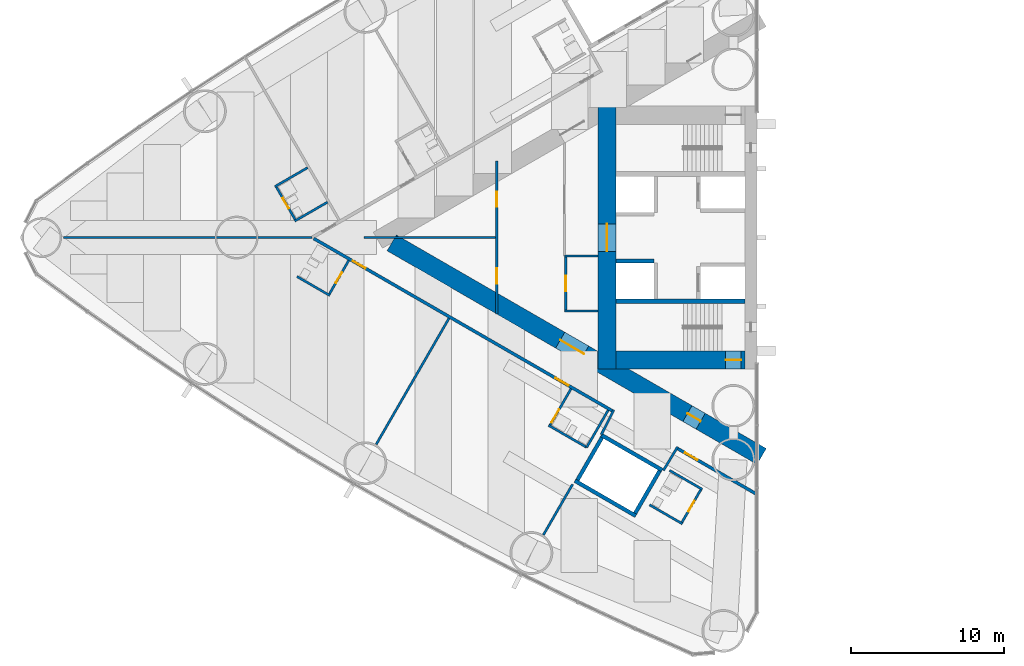
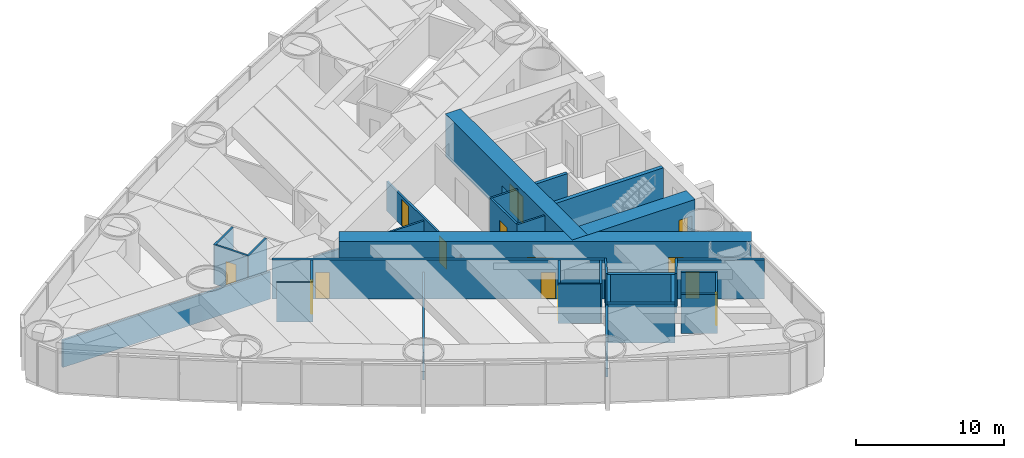
# One storey, part 11 of 19: 32 walls, 14 doors, 14 openings.
"""IFC4 building model written with IfcOpenShell, lengths in metres."""

from ifc_helpers import new_model, si_unit, direction, frame, frame_2d, origin, place, context, subcontext, project, spatial, rectangle, extrude, material, layer, layer_set, type_object, element, fill, save


model = new_model("IFC4")

# Units and contexts
model_context = context("Model", 3, precision=1e-05, world=origin(), true_north=direction((0.0, 1.0)))
body_context = subcontext(model_context, "Body", "Model", "MODEL_VIEW")
ifc_project = project(units=[si_unit("LENGTHUNIT", "METRE"), si_unit("AREAUNIT", "SQUARE_METRE"), si_unit("VOLUMEUNIT", "CUBIC_METRE"), si_unit("PLANEANGLEUNIT", "RADIAN"), si_unit("MASSUNIT", "GRAM", prefix="KILO")], contexts=[model_context])

# Site, building, storey
site_placement = place(None, origin())
site = spatial("IfcSite", under=ifc_project, at=site_placement, CompositionType="ELEMENT")
building_placement = place(site_placement, origin())
building = spatial("IfcBuilding", under=site, at=building_placement, Name="Lancet Gate Hotel", CompositionType="ELEMENT")
storey_placement = place(building_placement, frame((0.0, 0.0, 63.5)))
storey = spatial("IfcBuildingStorey", under=building, at=storey_placement, Name="L16", CompositionType="ELEMENT", Elevation=63.5)

# Wall
ifc_material_1 = material(Name="Moisture resistant board partition")
ifc_layer_1 = layer(ifc_material_1, 0.14990234375)
ifc_layer_set_1 = layer_set([ifc_layer_1], Name="Bathroom wall 150")
wall_type_1 = type_object("IfcWallType", Name="Bathroom wall 150", PredefinedType="PARTITIONING", material=ifc_layer_set_1)
wall_1_placement = place(storey_placement, frame((-56.861083984375, 4.565185546875, 0.0), z_axis=(0.0, 0.0, 1.0), x_axis=(-0.86604923931, -0.499958713387, 0.0)))
element("IfcWall", 1, at=wall_1_placement, inside=storey, type_object=wall_type_1, Name="T1 bathroom wall 150 L16", PredefinedType="PARTITIONING", context=body_context, shape_type="SweptSolid", body=[
    extrude(rectangle(XDim=2.474853515625, YDim=0.14990234375, at=frame_2d((1.2373046875, 0.0))), origin(), (0.0, 0.0, 1.0), 3.25),
])

# Wall, opening, door
wall_2_placement = place(storey_placement, frame((-57.639404296875, 1.113525390625, 0.0), z_axis=(0.0, 0.0, 1.0), x_axis=(-0.500006934395, 0.866021400173, 0.0)))
wall_2 = element("IfcWall", 2, at=wall_2_placement, inside=storey, type_object=wall_type_1, Name="T1 bathroom wall 150 L16", PredefinedType="PARTITIONING", context=body_context, shape_type="SweptSolid", body=[
    extrude(rectangle(XDim=2.60009765625, YDim=0.14990234375, at=frame_2d((1.300048828125, 0.0))), origin(), (0.0, 0.0, 1.0), 3.25),
])
opening_1_placement = place(wall_2_placement, frame((0.89990234375, 0.0, 0.0)))
opening_1 = element("IfcOpeningElement", 3, at=opening_1_placement, cuts=wall_2, Name="Opening 1604-B", PredefinedType="OPENING", context=body_context, shape_type="SweptSolid", body=[
    extrude(rectangle(XDim=0.800048828125, YDim=2.199951171875, at=frame_2d((0.39990234375, 1.10009765625))), frame((0.0, 0.0849609375, 0.0), z_axis=(0.0, -1.0, 0.0), x_axis=(1.0, 0.0, 0.0)), (0.0, 0.0, 1.0), 0.169921875),
])
ifc_material_2 = material(Name="Timber door set", Category="wood")
door_type_1 = type_object("IfcDoorType", Name="Bathroom door 800", OperationType="SINGLE_SWING_RIGHT", PredefinedType="DOOR", material=ifc_material_2)
door_1_placement = place(opening_1_placement, origin())
door_1 = element("IfcDoor", 4, at=door_1_placement, inside=storey, type_object=door_type_1, Name="1604-B", OperationType="SINGLE_SWING_RIGHT", OverallHeight=2.199951171875, OverallWidth=0.800048828125, PredefinedType="DOOR", context=body_context, shape_type="SweptSolid", body=[
    extrude(rectangle(XDim=0.800048828125, YDim=2.199951171875, at=frame_2d((0.39990234375, 1.10009765625))), frame((0.0, 0.02490234375, 0.0), z_axis=(0.0, -1.0, 0.0), x_axis=(1.0, 0.0, 0.0)), (0.0, 0.0, 1.0), 0.050048828125),
])
fill(opening_1, door_1)

# Walls
for number, where, z_axis, x_axis, name in (
    (5, (-55.56103515625, 2.3134765625, 0.0), (0.0, 0.0, 1.0), (-0.86604923931, -0.499958713387, 0.0), "T1 bathroom wall 150 L16"),
    (6, (-55.4111328125, -3.785888671875, 0.0), (0.0, 0.0, 1.0), (-0.866006523861, 0.500032699561, 0.0), "T1 bathroom wall 150 L16"),
):
    element("IfcWall", number, at=place(storey_placement, frame(where, z_axis=z_axis, x_axis=x_axis)), inside=storey, type_object=wall_type_1, Name=name, PredefinedType="PARTITIONING", context=body_context, shape_type="SweptSolid", body=[
        extrude(rectangle(XDim=2.474853515625, YDim=0.14990234375, at=frame_2d((1.2373046875, 0.0))), origin(), (0.0, 0.0, 1.0), 3.25),
    ])

# Wall, opening, door
wall_3_placement = place(storey_placement, frame((-54.176025390625, -1.49658203125, 0.0), z_axis=(0.0, 0.0, 1.0), x_axis=(-0.500006934395, -0.866021400173, 0.0)))
wall_3 = element("IfcWall", 7, at=wall_3_placement, inside=storey, type_object=wall_type_1, Name="T1 bathroom wall 150 L16", PredefinedType="PARTITIONING", context=body_context, shape_type="SweptSolid", body=[
    extrude(rectangle(XDim=2.60009765625, YDim=0.14990234375, at=frame_2d((1.300048828125, 0.0))), origin(), (0.0, 0.0, 1.0), 3.25),
])
opening_2_placement = place(wall_3_placement, frame((0.89990234375, 0.0, 0.0)))
opening_2 = element("IfcOpeningElement", 8, at=opening_2_placement, cuts=wall_3, Name="Opening 1605-B", PredefinedType="OPENING", context=body_context, shape_type="SweptSolid", body=[
    extrude(rectangle(XDim=0.800048828125, YDim=2.199951171875, at=frame_2d((0.39990234375, 1.10009765625))), frame((0.0, 0.0849609375, 0.0), z_axis=(0.0, -1.0, 0.0), x_axis=(1.0, 0.0, 0.0)), (0.0, 0.0, 1.0), 0.169921875),
])
door_2_placement = place(opening_2_placement, origin())
door_2 = element("IfcDoor", 9, at=door_2_placement, inside=storey, type_object=door_type_1, Name="1605-B", OperationType="SINGLE_SWING_RIGHT", OverallHeight=2.199951171875, OverallWidth=0.800048828125, PredefinedType="DOOR", context=body_context, shape_type="SweptSolid", body=[
    extrude(rectangle(XDim=0.800048828125, YDim=2.199951171875, at=frame_2d((0.39990234375, 1.10009765625))), frame((0.0, 0.02490234375, 0.0), z_axis=(0.0, -1.0, 0.0), x_axis=(1.0, 0.0, 0.0)), (0.0, 0.0, 1.0), 0.050048828125),
])
fill(opening_2, door_2)

# Wall
wall_4_placement = place(storey_placement, frame((-38.630126953125, -13.705322265625, 0.0), z_axis=(0.0, 0.0, 1.0), x_axis=(-0.866018712932, 0.500011588718, 0.0)))
element("IfcWall", 10, at=wall_4_placement, inside=storey, type_object=wall_type_1, Name="T1 bathroom wall 150 L16", PredefinedType="PARTITIONING", context=body_context, shape_type="SweptSolid", body=[
    extrude(rectangle(XDim=2.875, YDim=0.14990234375, at=frame_2d((1.4375, 0.0))), origin(), (0.0, 0.0, 1.0), 3.25),
])

# Wall, opening, door
wall_5_placement = place(storey_placement, frame((-39.65478515625, -9.88037109375, 0.0), z_axis=(0.0, 0.0, 1.0), x_axis=(-0.500049511043, -0.865996816683, 0.0)))
wall_5 = element("IfcWall", 11, at=wall_5_placement, inside=storey, type_object=wall_type_1, Name="T1 bathroom wall 150 L16", PredefinedType="PARTITIONING", context=body_context, shape_type="SweptSolid", body=[
    extrude(rectangle(XDim=2.800048828125, YDim=0.14990234375, at=frame_2d((1.39990234375, 0.0))), origin(), (0.0, 0.0, 1.0), 3.25),
])
opening_3_placement = place(wall_5_placement, frame((1.550048828125, 0.0, 0.0)))
opening_3 = element("IfcOpeningElement", 12, at=opening_3_placement, cuts=wall_5, Name="Opening 1607-B", PredefinedType="OPENING", context=body_context, shape_type="SweptSolid", body=[
    extrude(rectangle(XDim=1.0, YDim=2.199951171875, at=frame_2d((0.5, 1.10009765625))), frame((0.0, 0.0849609375, 0.0), z_axis=(0.0, -1.0, 0.0), x_axis=(1.0, 0.0, 0.0)), (0.0, 0.0, 1.0), 0.169921875),
])
ifc_material_3 = material(Name="Timber door set", Category="wood")
door_type_2 = type_object("IfcDoorType", Name="Accessible en-suite door 1000", OperationType="SINGLE_SWING_RIGHT", PredefinedType="DOOR", material=ifc_material_3)
door_3_placement = place(opening_3_placement, origin())
door_3 = element("IfcDoor", 13, at=door_3_placement, inside=storey, type_object=door_type_2, Name="1607-B", OperationType="SINGLE_SWING_RIGHT", OverallHeight=2.199951171875, OverallWidth=1.0, PredefinedType="DOOR", context=body_context, shape_type="SweptSolid", body=[
    extrude(rectangle(XDim=1.0, YDim=2.199951171875, at=frame_2d((0.5, 1.10009765625))), frame((0.0, 0.02490234375, 0.0), z_axis=(0.0, -1.0, 0.0), x_axis=(1.0, 0.0, 0.0)), (0.0, 0.0, 1.0), 0.050048828125),
])
fill(opening_3, door_3)

# Walls
wall_6_placement = place(storey_placement, frame((-37.22998046875, -11.280517578125, 0.0), z_axis=(0.0, 0.0, 1.0), x_axis=(-0.500049511043, -0.865996816683, 0.0)))
element("IfcWall", 14, at=wall_6_placement, inside=storey, type_object=wall_type_1, Name="T1 bathroom wall 150 L16", PredefinedType="PARTITIONING", context=body_context, shape_type="SweptSolid", body=[
    extrude(rectangle(XDim=2.800048828125, YDim=0.14990234375, at=frame_2d((1.39990234375, 0.0))), origin(), (0.0, 0.0, 1.0), 3.25),
])
wall_7_placement = place(storey_placement, frame((-32.3759765625, -18.70166015625, 0.0), z_axis=(0.0, 0.0, 1.0), x_axis=(-0.866006523861, 0.500032699561, 0.0)))
element("IfcWall", 15, at=wall_7_placement, inside=storey, type_object=wall_type_1, Name="T1 bathroom wall 150 L16", PredefinedType="PARTITIONING", context=body_context, shape_type="SweptSolid", body=[
    extrude(rectangle(XDim=2.474853515625, YDim=0.14990234375, at=frame_2d((1.2373046875, 0.0))), origin(), (0.0, 0.0, 1.0), 3.25),
])

# Wall, opening, door
wall_8_placement = place(storey_placement, frame((-31.140869140625, -16.41259765625, 0.0), z_axis=(0.0, 0.0, 1.0), x_axis=(-0.500006934395, -0.866021400173, 0.0)))
wall_8 = element("IfcWall", 16, at=wall_8_placement, inside=storey, type_object=wall_type_1, Name="T1 bathroom wall 150 L16", PredefinedType="PARTITIONING", context=body_context, shape_type="SweptSolid", body=[
    extrude(rectangle(XDim=2.60009765625, YDim=0.14990234375, at=frame_2d((1.300048828125, 0.0))), origin(), (0.0, 0.0, 1.0), 3.25),
])
opening_4_placement = place(wall_8_placement, frame((0.89990234375, 0.0, 0.0)))
opening_4 = element("IfcOpeningElement", 17, at=opening_4_placement, cuts=wall_8, Name="Opening 1608-B", PredefinedType="OPENING", context=body_context, shape_type="SweptSolid", body=[
    extrude(rectangle(XDim=0.800048828125, YDim=2.199951171875, at=frame_2d((0.39990234375, 1.10009765625))), frame((0.0, 0.0849609375, 0.0), z_axis=(0.0, -1.0, 0.0), x_axis=(1.0, 0.0, 0.0)), (0.0, 0.0, 1.0), 0.169921875),
])
door_4_placement = place(opening_4_placement, origin())
door_4 = element("IfcDoor", 18, at=door_4_placement, inside=storey, type_object=door_type_1, Name="1608-B", OperationType="SINGLE_SWING_RIGHT", OverallHeight=2.199951171875, OverallWidth=0.800048828125, PredefinedType="DOOR", context=body_context, shape_type="SweptSolid", body=[
    extrude(rectangle(XDim=0.800048828125, YDim=2.199951171875, at=frame_2d((0.39990234375, 1.10009765625))), frame((0.0, 0.02490234375, 0.0), z_axis=(0.0, -1.0, 0.0), x_axis=(1.0, 0.0, 0.0)), (0.0, 0.0, 1.0), 0.050048828125),
])
fill(opening_4, door_4)

# Wall
wall_9_placement = place(storey_placement, frame((-31.075927734375, -16.449951171875, 0.0), z_axis=(0.0, 0.0, 1.0), x_axis=(-0.866073894602, 0.499916002032, 0.0)))
element("IfcWall", 19, at=wall_9_placement, inside=storey, type_object=wall_type_1, Name="T1 bathroom wall 150 L16", PredefinedType="PARTITIONING", context=body_context, shape_type="SweptSolid", body=[
    extrude(rectangle(XDim=2.47509765625, YDim=0.14990234375, at=frame_2d((1.237548828125, 0.0))), origin(), (0.0, 0.0, 1.0), 3.25),
])

# Wall, openings, doors
ifc_material_4 = material(Name="Concrete C70/85", Category="concrete")
ifc_layer_2 = layer(ifc_material_4, 1.199951171875)
ifc_layer_set_2 = layer_set([ifc_layer_2], Name="Buttress wall 1200")
wall_type_2 = type_object("IfcWallType", Name="Buttress wall 1200", PredefinedType="SHEAR", material=ifc_layer_set_2)
wall_10_placement = place(storey_placement, frame((-27.199951171875, -14.300048828125, 0.0), z_axis=(0.0, 0.0, 1.0), x_axis=(-0.866024021859, 0.500002393557, 0.0)))
wall_10 = element("IfcWall", 20, at=wall_10_placement, inside=storey, type_object=wall_type_2, Name="T1 buttress wall N L16", PredefinedType="SHEAR", context=body_context, shape_type="SweptSolid", body=[
    extrude(rectangle(XDim=27.906982421875, YDim=1.199951171875, at=frame_2d((13.95361328125, 0.0))), origin(), (0.0, 0.0, 1.0), 3.5),
])
opening_5_placement = place(wall_10_placement, frame((4.60009765625, 0.0, 0.0)))
opening_5 = element("IfcOpeningElement", 21, at=opening_5_placement, cuts=wall_10, Name="Opening T1-L16-LN", PredefinedType="OPENING", context=body_context, shape_type="SweptSolid", body=[
    extrude(rectangle(XDim=1.0, YDim=2.199951171875, at=frame_2d((0.5, 1.10009765625))), frame((0.0, 0.60986328125, 0.0), z_axis=(0.0, -1.0, 0.0), x_axis=(1.0, 0.0, 0.0)), (0.0, 0.0, 1.0), 1.219970703125),
])
opening_6_placement = place(wall_10_placement, frame((13.39453125, 0.0, 0.0)))
opening_6 = element("IfcOpeningElement", 22, at=opening_6_placement, cuts=wall_10, Name="Opening T1-L16-LHN", PredefinedType="OPENING", context=body_context, shape_type="SweptSolid", body=[
    extrude(rectangle(XDim=1.800048828125, YDim=2.199951171875, at=frame_2d((0.89990234375, 1.10009765625))), frame((0.0, 0.60986328125, 0.0), z_axis=(0.0, -1.0, 0.0), x_axis=(1.0, 0.0, 0.0)), (0.0, 0.0, 1.0), 1.219970703125),
])
ifc_material_5 = material(Name="Timber door set", Category="wood")
door_type_3 = type_object("IfcDoorType", Name="Lobby double door 1800", OperationType="DOUBLE_DOOR_SINGLE_SWING", PredefinedType="DOOR", material=ifc_material_5)
door_5_placement = place(opening_6_placement, origin())
door_5 = element("IfcDoor", 23, at=door_5_placement, inside=storey, type_object=door_type_3, Name="T1-L16-LHN", OperationType="DOUBLE_DOOR_SINGLE_SWING", OverallHeight=2.199951171875, OverallWidth=1.800048828125, PredefinedType="DOOR", context=body_context, shape_type="SweptSolid", body=[
    extrude(rectangle(XDim=1.800048828125, YDim=2.199951171875, at=frame_2d((0.89990234375, 1.10009765625))), frame((0.0, 0.02490234375, 0.0), z_axis=(0.0, -1.0, 0.0), x_axis=(1.0, 0.0, 0.0)), (0.0, 0.0, 1.0), 0.050048828125),
])
fill(opening_6, door_5)
ifc_material_6 = material(Name="Timber door set", Category="wood")
door_type_4 = type_object("IfcDoorType", Name="Stair lobby door 1000", OperationType="SINGLE_SWING_LEFT", PredefinedType="DOOR", material=ifc_material_6)
door_6_placement = place(opening_5_placement, origin())
door_6 = element("IfcDoor", 24, at=door_6_placement, inside=storey, type_object=door_type_4, Name="T1-L16-LN", OperationType="SINGLE_SWING_LEFT", OverallHeight=2.199951171875, OverallWidth=1.0, PredefinedType="DOOR", context=body_context, shape_type="SweptSolid", body=[
    extrude(rectangle(XDim=1.0, YDim=2.199951171875, at=frame_2d((0.5, 1.10009765625))), frame((0.0, 0.02490234375, 0.0), z_axis=(0.0, -1.0, 0.0), x_axis=(1.0, 0.0, 0.0)), (0.0, 0.0, 1.0), 0.050048828125),
])
fill(opening_5, door_6)

# Wall, opening, door
ifc_material_7 = material(Name="Concrete C70/85", Category="concrete")
ifc_layer_3 = layer(ifc_material_7, 1.199951171875)
ifc_layer_set_3 = layer_set([ifc_layer_3], Name="Core wall 1200")
wall_type_3 = type_object("IfcWallType", Name="Core wall 1200", PredefinedType="SHEAR", material=ifc_layer_set_3)
wall_11_placement = place(storey_placement, frame((-37.300048828125, 8.60009765625, 0.0), z_axis=(0.0, 0.0, 1.0), x_axis=(0.0, -1.0, 0.0)))
wall_11 = element("IfcWall", 25, at=wall_11_placement, inside=storey, type_object=wall_type_3, Name="T1 core wall back L16", PredefinedType="SHEAR", context=body_context, shape_type="SweptSolid", body=[
    extrude(rectangle(XDim=17.2001953125, YDim=1.199951171875, at=frame_2d((8.60009765625, 0.0))), origin(), (0.0, 0.0, 1.0), 3.5),
])
opening_7_placement = place(wall_11_placement, frame((7.699951171875, 0.0, 0.0)))
opening_7 = element("IfcOpeningElement", 26, at=opening_7_placement, cuts=wall_11, Name="Opening T1-L16-LL", PredefinedType="OPENING", context=body_context, shape_type="SweptSolid", body=[
    extrude(rectangle(XDim=1.800048828125, YDim=2.199951171875, at=frame_2d((0.89990234375, 1.10009765625))), frame((0.0, 0.60986328125, 0.0), z_axis=(0.0, -1.0, 0.0), x_axis=(1.0, 0.0, 0.0)), (0.0, 0.0, 1.0), 1.219970703125),
])
door_7_placement = place(opening_7_placement, origin())
door_7 = element("IfcDoor", 27, at=door_7_placement, inside=storey, type_object=door_type_3, Name="T1-L16-LL", OperationType="DOUBLE_DOOR_SINGLE_SWING", OverallHeight=2.199951171875, OverallWidth=1.800048828125, PredefinedType="DOOR", context=body_context, shape_type="SweptSolid", body=[
    extrude(rectangle(XDim=1.800048828125, YDim=2.199951171875, at=frame_2d((0.89990234375, 1.10009765625))), frame((0.0, 0.02490234375, 0.0), z_axis=(0.0, -1.0, 0.0), x_axis=(1.0, 0.0, 0.0)), (0.0, 0.0, 1.0), 0.050048828125),
])
fill(opening_7, door_7)

wall_12_placement = place(storey_placement, frame((-28.300048828125, -8.0, 0.0), z_axis=(0.0, 0.0, 1.0), x_axis=(-1.0, 0.0, 0.0)))
wall_12 = element("IfcWall", 28, at=wall_12_placement, inside=storey, type_object=wall_type_3, Name="T1 core wall side-N L16", PredefinedType="SHEAR", context=body_context, shape_type="SweptSolid", body=[
    extrude(rectangle(XDim=8.39990234375, YDim=1.199951171875, at=frame_2d((4.199951171875, 0.0))), origin(), (0.0, 0.0, 1.0), 3.5),
])
opening_8_placement = place(wall_12_placement, frame((0.25, 0.0, 0.0)))
opening_8 = element("IfcOpeningElement", 29, at=opening_8_placement, cuts=wall_12, Name="Opening T1-L16-ST2", PredefinedType="OPENING", context=body_context, shape_type="SweptSolid", body=[
    extrude(rectangle(XDim=1.0, YDim=2.199951171875, at=frame_2d((0.5, 1.10009765625))), frame((0.0, 0.60986328125, 0.0), z_axis=(0.0, -1.0, 0.0), x_axis=(1.0, 0.0, 0.0)), (0.0, 0.0, 1.0), 1.219970703125),
])
ifc_material_8 = material(Name="Timber door set", Category="wood")
door_type_5 = type_object("IfcDoorType", Name="Stair door 1000", OperationType="SINGLE_SWING_RIGHT", PredefinedType="DOOR", material=ifc_material_8)
door_8_placement = place(opening_8_placement, origin())
door_8 = element("IfcDoor", 30, at=door_8_placement, inside=storey, type_object=door_type_5, Name="T1-L16-ST2", OperationType="SINGLE_SWING_RIGHT", OverallHeight=2.199951171875, OverallWidth=1.0, PredefinedType="DOOR", context=body_context, shape_type="SweptSolid", body=[
    extrude(rectangle(XDim=1.0, YDim=2.199951171875, at=frame_2d((0.5, 1.10009765625))), frame((0.0, 0.02490234375, 0.0), z_axis=(0.0, -1.0, 0.0), x_axis=(1.0, 0.0, 0.0)), (0.0, 0.0, 1.0), 0.050048828125),
])
fill(opening_8, door_8)

ifc_material_9 = material(Name="Gypsum board partition")
ifc_layer_4 = layer(ifc_material_9, 0.199951171875)
ifc_layer_set_4 = layer_set([ifc_layer_4], Name="Corridor wall 200")
wall_type_4 = type_object("IfcWallType", Name="Corridor wall 200", PredefinedType="PARTITIONING", material=ifc_layer_set_4)
wall_13_placement = place(storey_placement, frame((-27.572021484375, -16.740966796875, 0.0), z_axis=(0.0, 0.0, 1.0), x_axis=(-0.866024464444, 0.500001626982, 0.0)))
wall_13 = element("IfcWall", 31, at=wall_13_placement, inside=storey, type_object=wall_type_4, Name="T1 corridor wall 200 L16", PredefinedType="PARTITIONING", context=body_context, shape_type="SweptSolid", body=[
    extrude(rectangle(XDim=5.955078125, YDim=0.199951171875, at=frame_2d((2.9775390625, 0.0))), origin(), (0.0, 0.0, 1.0), 3.25),
])
opening_9_placement = place(wall_13_placement, frame((4.405029296875, 0.0, 0.0)))
opening_9 = element("IfcOpeningElement", 32, at=opening_9_placement, cuts=wall_13, Name="Opening 1608-E", PredefinedType="OPENING", context=body_context, shape_type="SweptSolid", body=[
    extrude(rectangle(XDim=0.949951171875, YDim=2.199951171875, at=frame_2d((0.47509765625, 1.10009765625))), frame((0.0, 0.10986328125, 0.0), z_axis=(0.0, -1.0, 0.0), x_axis=(1.0, 0.0, 0.0)), (0.0, 0.0, 1.0), 0.219970703125),
])
ifc_material_10 = material(Name="Timber door set", Category="wood")
door_type_6 = type_object("IfcDoorType", Name="Guest room entry door 950", OperationType="SINGLE_SWING_LEFT", PredefinedType="DOOR", material=ifc_material_10)
door_9_placement = place(opening_9_placement, origin())
door_9 = element("IfcDoor", 33, at=door_9_placement, inside=storey, type_object=door_type_6, Name="1608-E", OperationType="SINGLE_SWING_LEFT", OverallHeight=2.199951171875, OverallWidth=0.949951171875, PredefinedType="DOOR", context=body_context, shape_type="SweptSolid", body=[
    extrude(rectangle(XDim=0.949951171875, YDim=2.199951171875, at=frame_2d((0.47509765625, 1.10009765625))), frame((0.0, 0.02490234375, 0.0), z_axis=(0.0, -1.0, 0.0), x_axis=(1.0, 0.0, 0.0)), (0.0, 0.0, 1.0), 0.050048828125),
])
fill(opening_9, door_9)

# Wall, openings, doors
wall_14_placement = place(storey_placement, frame((-36.920166015625, -11.34375, 0.0), z_axis=(0.0, 0.0, 1.0), x_axis=(-0.866028313256, 0.499994960614, 0.0)))
wall_14 = element("IfcWall", 34, at=wall_14_placement, inside=storey, type_object=wall_type_4, Name="T1 corridor wall 200 L16", PredefinedType="PARTITIONING", context=body_context, shape_type="SweptSolid", body=[
    extrude(rectangle(XDim=22.567626953125, YDim=0.199951171875, at=frame_2d((11.28369140625, 0.0))), origin(), (0.0, 0.0, 1.0), 3.25),
])
opening_10_placement = place(wall_14_placement, frame((18.667724609375, 0.0, 0.0)))
opening_10 = element("IfcOpeningElement", 35, at=opening_10_placement, cuts=wall_14, Name="Opening 1605-E", PredefinedType="OPENING", context=body_context, shape_type="SweptSolid", body=[
    extrude(rectangle(XDim=0.949951171875, YDim=2.199951171875, at=frame_2d((0.47509765625, 1.10009765625))), frame((0.0, 0.10986328125, 0.0), z_axis=(0.0, -1.0, 0.0), x_axis=(1.0, 0.0, 0.0)), (0.0, 0.0, 1.0), 0.219970703125),
])
opening_11_placement = place(wall_14_placement, frame((3.35009765625, 0.0, 0.0)))
opening_11 = element("IfcOpeningElement", 36, at=opening_11_placement, cuts=wall_14, Name="Opening 1607-E", PredefinedType="OPENING", context=body_context, shape_type="SweptSolid", body=[
    extrude(rectangle(XDim=1.0, YDim=2.199951171875, at=frame_2d((0.5, 1.10009765625))), frame((0.0, 0.10986328125, 0.0), z_axis=(0.0, -1.0, 0.0), x_axis=(1.0, 0.0, 0.0)), (0.0, 0.0, 1.0), 0.219970703125),
])
ifc_material_11 = material(Name="Timber door set", Category="wood")
door_type_7 = type_object("IfcDoorType", Name="Accessible guest room door 1000", OperationType="SINGLE_SWING_LEFT", PredefinedType="DOOR", material=ifc_material_11)
door_10_placement = place(opening_11_placement, origin())
door_10 = element("IfcDoor", 37, at=door_10_placement, inside=storey, type_object=door_type_7, Name="1607-E", OperationType="SINGLE_SWING_LEFT", OverallHeight=2.199951171875, OverallWidth=1.0, PredefinedType="DOOR", context=body_context, shape_type="SweptSolid", body=[
    extrude(rectangle(XDim=1.0, YDim=2.199951171875, at=frame_2d((0.5, 1.10009765625))), frame((0.0, 0.02490234375, 0.0), z_axis=(0.0, -1.0, 0.0), x_axis=(1.0, 0.0, 0.0)), (0.0, 0.0, 1.0), 0.050048828125),
])
fill(opening_11, door_10)
door_11_placement = place(opening_10_placement, origin())
door_11 = element("IfcDoor", 38, at=door_11_placement, inside=storey, type_object=door_type_6, Name="1605-E", OperationType="SINGLE_SWING_LEFT", OverallHeight=2.199951171875, OverallWidth=0.949951171875, PredefinedType="DOOR", context=body_context, shape_type="SweptSolid", body=[
    extrude(rectangle(XDim=0.949951171875, YDim=2.199951171875, at=frame_2d((0.47509765625, 1.10009765625))), frame((0.0, 0.02490234375, 0.0), z_axis=(0.0, -1.0, 0.0), x_axis=(1.0, 0.0, 0.0)), (0.0, 0.0, 1.0), 0.050048828125),
])
fill(opening_10, door_11)

# Walls
ifc_material_12 = material(Name="Gypsum board partition")
ifc_layer_5 = layer(ifc_material_12, 0.25)
ifc_layer_set_5 = layer_set([ifc_layer_5], Name="Lift shaft partition 250")
wall_type_5 = type_object("IfcWallType", Name="Lift shaft partition 250", PredefinedType="PARTITIONING", material=ifc_layer_set_5)
wall_15_placement = place(storey_placement, frame((-33.695556640625, -15.197265625, 0.0), z_axis=(0.0, 0.0, 1.0), x_axis=(-0.865976953817, 0.500083908417, 0.0)))
element("IfcWall", 39, at=wall_15_placement, inside=storey, type_object=wall_type_5, Name="T1 lift shaft wall EX L16", PredefinedType="PARTITIONING", context=body_context, shape_type="SweptSolid", body=[
    extrude(rectangle(XDim=4.599365234375, YDim=0.25, at=frame_2d((2.2998046875, 0.0))), origin(), (0.0, 0.0, 1.0), 3.25),
])
wall_16_placement = place(storey_placement, frame((-35.42041015625, -18.185791015625, 0.0), z_axis=(0.0, 0.0, 1.0), x_axis=(-0.865990227814, 0.50006092162, 0.0)))
element("IfcWall", 40, at=wall_16_placement, inside=storey, type_object=wall_type_5, Name="T1 lift shaft wall EX L16", PredefinedType="PARTITIONING", context=body_context, shape_type="SweptSolid", body=[
    extrude(rectangle(XDim=4.599609375, YDim=0.25, at=frame_2d((2.2998046875, 0.0))), origin(), (0.0, 0.0, 1.0), 3.25),
])
wall_17_placement = place(storey_placement, frame((-33.8662109375, -15.242919921875, 0.0), z_axis=(0.0, 0.0, 1.0), x_axis=(-0.499929347863, -0.866066190972, 0.0)))
element("IfcWall", 41, at=wall_17_placement, inside=storey, type_object=wall_type_5, Name="T1 lift shaft wall EX L16", PredefinedType="PARTITIONING", context=body_context, shape_type="SweptSolid", body=[
    extrude(rectangle(XDim=3.20068359375, YDim=0.25, at=frame_2d((1.600341796875, 0.0))), origin(), (0.0, 0.0, 1.0), 3.25),
])
wall_18_placement = place(storey_placement, frame((-37.6328125, -13.068115234375, 0.0), z_axis=(0.0, 0.0, 1.0), x_axis=(-0.499872130319, -0.866099216793, 0.0)))
element("IfcWall", 42, at=wall_18_placement, inside=storey, type_object=wall_type_5, Name="T1 lift shaft wall EX L16", PredefinedType="PARTITIONING", context=body_context, shape_type="SweptSolid", body=[
    extrude(rectangle(XDim=3.200439453125, YDim=0.25, at=frame_2d((1.60009765625, 0.0))), origin(), (0.0, 0.0, 1.0), 3.25),
])
ifc_material_13 = material(Name="Concrete C50/60", Category="concrete")
ifc_layer_6 = layer(ifc_material_13, 0.25)
ifc_layer_set_6 = layer_set([ifc_layer_6], Name="Lift shaft wall 250")
wall_type_6 = type_object("IfcWallType", Name="Lift shaft wall 250", PredefinedType="SHEAR", material=ifc_layer_set_6)
wall_19_placement = place(storey_placement, frame((-34.25, -1.52490234375, 0.0), z_axis=(0.0, 0.0, 1.0), x_axis=(-1.0, 0.0, 0.0)))
element("IfcWall", 43, at=wall_19_placement, inside=storey, type_object=wall_type_6, Name="T1 core wall pass2-N L16", PredefinedType="SHEAR", context=body_context, shape_type="SweptSolid", body=[
    extrude(rectangle(XDim=2.449951171875, YDim=0.25, at=frame_2d((1.22509765625, 0.0))), origin(), (0.0, 0.0, 1.0), 3.5),
])
ifc_material_14 = material(Name="Gypsum board partition")
ifc_layer_7 = layer(ifc_material_14, 0.14990234375)
ifc_layer_set_7 = layer_set([ifc_layer_7], Name="Party wall 150")
wall_type_7 = type_object("IfcWallType", Name="Party wall 150", PredefinedType="PARTITIONING", material=ifc_layer_set_7)
wall_20_placement = place(storey_placement, frame((-47.626708984375, -5.27783203125, 0.0), z_axis=(0.0, 0.0, 1.0), x_axis=(-0.500009844318, -0.86601972009, 0.0)))
element("IfcWall", 44, at=wall_20_placement, inside=storey, type_object=wall_type_7, Name="T1 party wall 150 L16", PredefinedType="PARTITIONING", context=body_context, shape_type="SweptSolid", body=[
    extrude(rectangle(XDim=9.510498046875, YDim=0.14990234375, at=frame_2d((4.75537109375, 0.0))), origin(), (0.0, 0.0, 1.0), 2.25),
])
wall_21_placement = place(storey_placement, frame((-56.568359375, 0.0, 0.0), z_axis=(0.0, 0.0, 1.0), x_axis=(-1.0, 0.0, 0.0)))
element("IfcWall", 45, at=wall_21_placement, inside=storey, type_object=wall_type_7, Name="T1 party wall 150 L16", PredefinedType="PARTITIONING", context=body_context, shape_type="SweptSolid", body=[
    extrude(rectangle(XDim=16.246826171875, YDim=0.14990234375, at=frame_2d((8.12353515625, 0.0))), origin(), (0.0, 0.0, 1.0), 2.25),
])
wall_22_placement = place(storey_placement, frame((-39.55078125, -16.118408203125, 0.0), z_axis=(0.0, 0.0, 1.0), x_axis=(-0.499986503906, -0.866033195618, 0.0)))
element("IfcWall", 46, at=wall_22_placement, inside=storey, type_object=wall_type_7, Name="T1 party wall 150 L16", PredefinedType="PARTITIONING", context=body_context, shape_type="SweptSolid", body=[
    extrude(rectangle(XDim=3.81494140625, YDim=0.14990234375, at=frame_2d((1.907470703125, 0.0))), origin(), (0.0, 0.0, 1.0), 3.25),
])
ifc_material_15 = material(Name="Gypsum board partition")
ifc_layer_8 = layer(ifc_material_15, 0.14990234375)
ifc_layer_set_8 = layer_set([ifc_layer_8], Name="Service room wall 150")
wall_type_8 = type_object("IfcWallType", Name="Service room wall 150", PredefinedType="PARTITIONING", material=ifc_layer_set_8)
wall_23_placement = place(storey_placement, frame((-36.857177734375, -11.2646484375, 0.0), z_axis=(0.0, 0.0, 1.0), x_axis=(-0.454225294761, -0.890886851176, 0.0)))
element("IfcWall", 47, at=wall_23_placement, inside=storey, type_object=wall_type_8, Name="T1 service room wall 150 L16", PredefinedType="PARTITIONING", context=body_context, shape_type="SweptSolid", body=[
    extrude(rectangle(XDim=1.80712890625, YDim=0.14990234375, at=frame_2d((0.903564453125, 0.0))), origin(), (0.0, 0.0, 1.0), 3.25),
])
wall_24_placement = place(storey_placement, frame((-33.62060546875, -15.217529296875, 0.0), z_axis=(0.0, 0.0, 1.0), x_axis=(0.514336634837, 0.857588377991, 0.0)))
element("IfcWall", 48, at=wall_24_placement, inside=storey, type_object=wall_type_8, Name="T1 service room wall 150 L16", PredefinedType="PARTITIONING", context=body_context, shape_type="SweptSolid", body=[
    extrude(rectangle(XDim=1.80517578125, YDim=0.14990234375, at=frame_2d((0.902587890625, 0.0))), origin(), (0.0, 0.0, 1.0), 3.25),
])
for number, where, z_axis, x_axis, name in (
    (49, (-37.89990234375, -1.199951171875, 0.0), (0.0, 0.0, 1.0), (-1.0, 0.0, 0.0), "T1 service room wall 150 L16"),
    (50, (-37.89990234375, -4.800048828125, 0.0), (0.0, 0.0, 1.0), (-1.0, 0.0, 0.0), "T1 service room wall 150 L16"),
):
    element("IfcWall", number, at=place(storey_placement, frame(where, z_axis=z_axis, x_axis=x_axis)), inside=storey, type_object=wall_type_8, Name=name, PredefinedType="PARTITIONING", context=body_context, shape_type="SweptSolid", body=[
        extrude(rectangle(XDim=2.175048828125, YDim=0.14990234375, at=frame_2d((1.08740234375, 0.0))), origin(), (0.0, 0.0, 1.0), 3.25),
    ])

# Wall, opening, door
wall_25_placement = place(storey_placement, frame((-40.0, -1.125, 0.0), z_axis=(0.0, 0.0, 1.0), x_axis=(0.0, -1.0, 0.0)))
wall_25 = element("IfcWall", 51, at=wall_25_placement, inside=storey, type_object=wall_type_8, Name="T1 service room wall 150 L16", PredefinedType="PARTITIONING", context=body_context, shape_type="SweptSolid", body=[
    extrude(rectangle(XDim=3.75, YDim=0.14990234375, at=frame_2d((1.875, 0.0))), origin(), (0.0, 0.0, 1.0), 3.25),
])
opening_12_placement = place(wall_25_placement, frame((1.375, 0.0, 0.0)))
opening_12 = element("IfcOpeningElement", 52, at=opening_12_placement, cuts=wall_25, Name="Opening T1-L16-HRN0", PredefinedType="OPENING", context=body_context, shape_type="SweptSolid", body=[
    extrude(rectangle(XDim=1.0, YDim=2.199951171875, at=frame_2d((0.5, 1.10009765625))), frame((0.0, 0.0849609375, 0.0), z_axis=(0.0, -1.0, 0.0), x_axis=(1.0, 0.0, 0.0)), (0.0, 0.0, 1.0), 0.169921875),
])
ifc_material_16 = material(Name="Timber door set", Category="wood")
door_type_8 = type_object("IfcDoorType", Name="Service door 1000", OperationType="SINGLE_SWING_LEFT", PredefinedType="DOOR", material=ifc_material_16)
door_12_placement = place(opening_12_placement, origin())
door_12 = element("IfcDoor", 53, at=door_12_placement, inside=storey, type_object=door_type_8, Name="T1-L16-HRN0", OperationType="SINGLE_SWING_LEFT", OverallHeight=2.199951171875, OverallWidth=1.0, PredefinedType="DOOR", context=body_context, shape_type="SweptSolid", body=[
    extrude(rectangle(XDim=1.0, YDim=2.199951171875, at=frame_2d((0.5, 1.10009765625))), frame((0.0, 0.02490234375, 0.0), z_axis=(0.0, -1.0, 0.0), x_axis=(1.0, 0.0, 0.0)), (0.0, 0.0, 1.0), 0.050048828125),
])
fill(opening_12, door_12)

# Wall, openings, doors
wall_26_placement = place(storey_placement, frame((-44.5, 5.004638671875, 0.0), z_axis=(0.0, 0.0, 1.0), x_axis=(0.0, -1.0, 0.0)))
wall_26 = element("IfcWall", 54, at=wall_26_placement, inside=storey, type_object=wall_type_8, Name="T1 service room wall 150 L16", PredefinedType="PARTITIONING", context=body_context, shape_type="SweptSolid", body=[
    extrude(rectangle(XDim=10.00927734375, YDim=0.14990234375, at=frame_2d((5.004638671875, 0.0))), origin(), (0.0, 0.0, 1.0), 2.449951171875),
])
opening_13_placement = place(wall_26_placement, frame((2.002197265625, 0.0, 0.0)))
opening_13 = element("IfcOpeningElement", 55, at=opening_13_placement, cuts=wall_26, Name="Opening T1-L16-SV", PredefinedType="OPENING", context=body_context, shape_type="SweptSolid", body=[
    extrude(rectangle(XDim=1.0, YDim=2.199951171875, at=frame_2d((0.5, 1.10009765625))), frame((0.0, 0.0849609375, 0.0), z_axis=(0.0, -1.0, 0.0), x_axis=(1.0, 0.0, 0.0)), (0.0, 0.0, 1.0), 0.169921875),
])
opening_14_placement = place(wall_26_placement, frame((7.0068359375, 0.0, 0.0)))
opening_14 = element("IfcOpeningElement", 56, at=opening_14_placement, cuts=wall_26, Name="Opening T1-L16-SV2", PredefinedType="OPENING", context=body_context, shape_type="SweptSolid", body=[
    extrude(rectangle(XDim=1.0, YDim=2.199951171875, at=frame_2d((0.5, 1.10009765625))), frame((0.0, 0.0849609375, 0.0), z_axis=(0.0, -1.0, 0.0), x_axis=(1.0, 0.0, 0.0)), (0.0, 0.0, 1.0), 0.169921875),
])
door_13_placement = place(opening_13_placement, origin())
door_13 = element("IfcDoor", 57, at=door_13_placement, inside=storey, type_object=door_type_8, Name="T1-L16-SV", OperationType="SINGLE_SWING_LEFT", OverallHeight=2.199951171875, OverallWidth=1.0, PredefinedType="DOOR", context=body_context, shape_type="SweptSolid", body=[
    extrude(rectangle(XDim=1.0, YDim=2.199951171875, at=frame_2d((0.5, 1.10009765625))), frame((0.0, 0.02490234375, 0.0), z_axis=(0.0, -1.0, 0.0), x_axis=(1.0, 0.0, 0.0)), (0.0, 0.0, 1.0), 0.050048828125),
])
fill(opening_13, door_13)
door_14_placement = place(opening_14_placement, origin())
door_14 = element("IfcDoor", 58, at=door_14_placement, inside=storey, type_object=door_type_8, Name="T1-L16-SV2", OperationType="SINGLE_SWING_LEFT", OverallHeight=2.199951171875, OverallWidth=1.0, PredefinedType="DOOR", context=body_context, shape_type="SweptSolid", body=[
    extrude(rectangle(XDim=1.0, YDim=2.199951171875, at=frame_2d((0.5, 1.10009765625))), frame((0.0, 0.02490234375, 0.0), z_axis=(0.0, -1.0, 0.0), x_axis=(1.0, 0.0, 0.0)), (0.0, 0.0, 1.0), 0.050048828125),
])
fill(opening_14, door_14)

# Walls
wall_27_placement = place(storey_placement, frame((-44.574951171875, 0.0, 0.0), z_axis=(0.0, 0.0, 1.0), x_axis=(-1.0, 0.0, 0.0)))
element("IfcWall", 59, at=wall_27_placement, inside=storey, type_object=wall_type_8, Name="T1 service room wall 150 L16", PredefinedType="PARTITIONING", context=body_context, shape_type="SweptSolid", body=[
    extrude(rectangle(XDim=8.59326171875, YDim=0.14990234375, at=frame_2d((4.296630859375, 0.0))), origin(), (0.0, 0.0, 1.0), 2.25),
])
ifc_material_17 = material(Name="Concrete C50/60", Category="concrete")
ifc_layer_9 = layer(ifc_material_17, 0.300048828125)
ifc_layer_set_9 = layer_set([ifc_layer_9], Name="Stair enclosure wall 300")
wall_type_9 = type_object("IfcWallType", Name="Stair enclosure wall 300", PredefinedType="SHEAR", material=ifc_layer_set_9)
wall_28_placement = place(storey_placement, frame((-28.300048828125, -4.14990234375, 0.0), z_axis=(0.0, 0.0, 1.0), x_axis=(-1.0, 0.0, 0.0)))
element("IfcWall", 60, at=wall_28_placement, inside=storey, type_object=wall_type_9, Name="T1 core wall stair-N L16", PredefinedType="SHEAR", context=body_context, shape_type="SweptSolid", body=[
    extrude(rectangle(XDim=8.39990234375, YDim=0.300048828125, at=frame_2d((4.199951171875, 0.0))), origin(), (0.0, 0.0, 1.0), 3.5),
])

save(model, "model.ifc")
